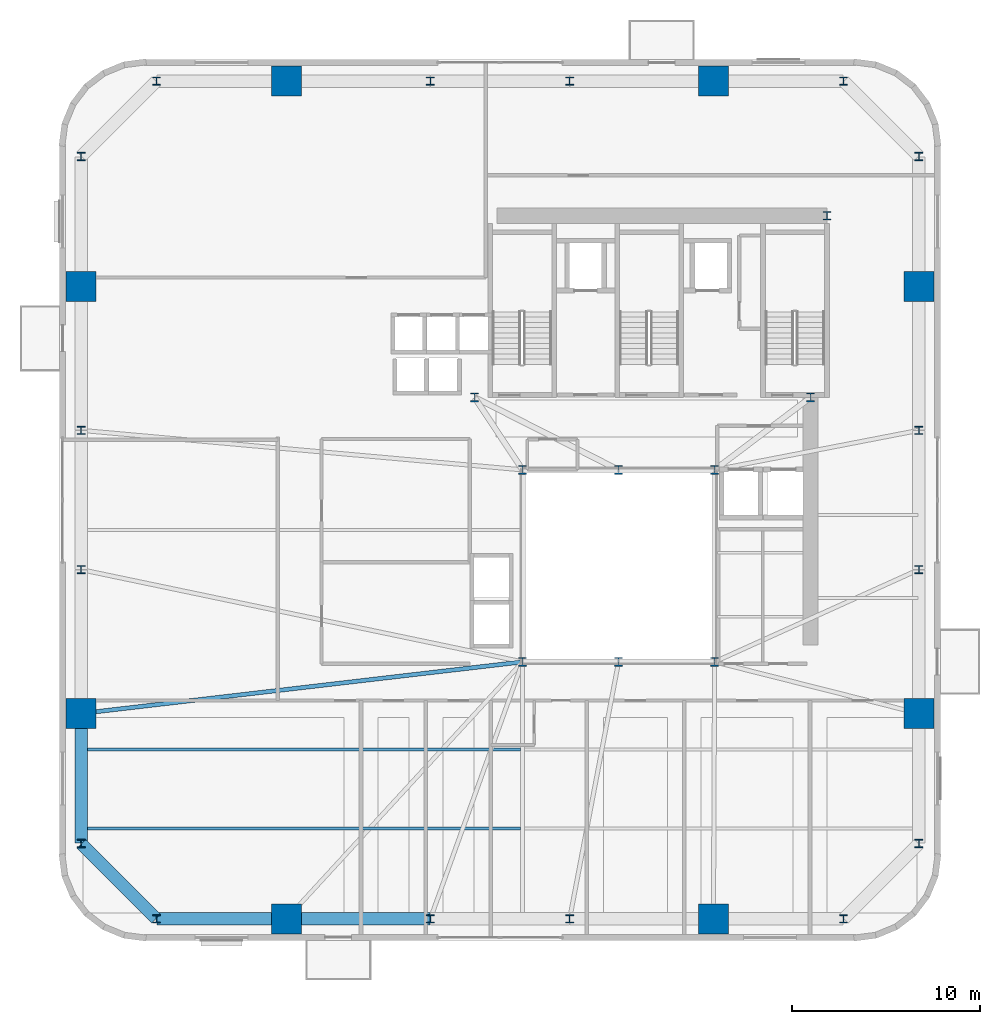
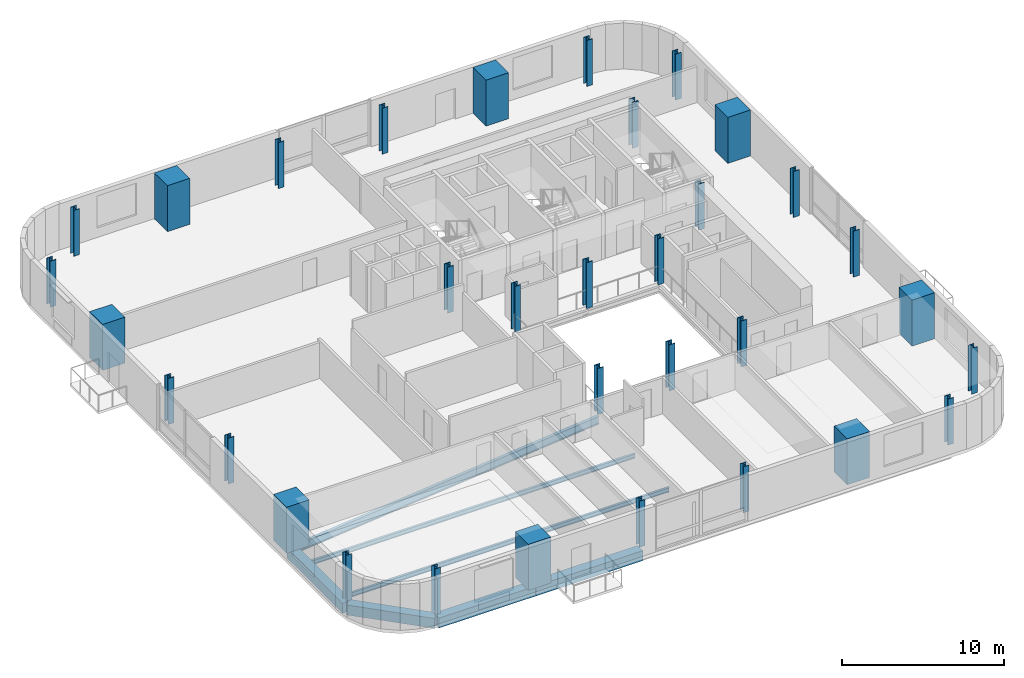
# One storey, part 1 of 14: 33 columns, 7 beams.
"""IFC4 building model written with IfcOpenShell, lengths in metres."""

from ifc_helpers import new_model, si_unit, direction, frame, origin, origin_2d, place, context, subcontext, project, spatial, rectangle, i_section, extrude, source, transform, mapped, material, material_profile, profile_set, type_object, element, save


model = new_model("IFC4")

# Units and contexts
model_context = context("Model", 3, precision=1e-05, world=origin(), true_north=direction((0.0, 1.0)))
body_context = subcontext(model_context, "Body", "Model", "MODEL_VIEW")
ifc_project = project(units=[si_unit("LENGTHUNIT", "METRE"), si_unit("AREAUNIT", "SQUARE_METRE"), si_unit("VOLUMEUNIT", "CUBIC_METRE"), si_unit("PLANEANGLEUNIT", "RADIAN"), si_unit("MASSUNIT", "GRAM", prefix="KILO")], contexts=[model_context])

# Site, building, storey
site_placement = place(None, origin())
site = spatial("IfcSite", under=ifc_project, at=site_placement, CompositionType="ELEMENT")
building_placement = place(site_placement, origin())
building = spatial("IfcBuilding", under=site, at=building_placement, Name="Vardaveli Station Tower", CompositionType="ELEMENT")
storey_placement = place(building_placement, frame((0.0, 0.0, 111.300048828125)))
storey = spatial("IfcBuildingStorey", under=building, at=storey_placement, Name="L28", CompositionType="ELEMENT", Elevation=111.300048828125)

# Columns
ifc_material_1 = material(Name="Structural steel S460M", Category="steel")
ifc_material_profile_1 = material_profile(ifc_material_1, i_section(OverallWidth=0.424072265625, OverallDepth=0.465087890625, WebThickness=0.034912109375, FlangeThickness=0.055908203125, FilletRadius=0.014892578125, at=origin_2d()), Name="HD 400x592")
ifc_profile_set_1 = profile_set([ifc_material_profile_1], Name="Structural steel S460M")
column_type_1 = type_object("IfcColumnType", Name="COL-HD592", PredefinedType="COLUMN", material=ifc_profile_set_1)
shared_shape_1 = source(origin(), body_context, "Body", "SweptSolid", [
    extrude(i_section(OverallWidth=0.424072265625, OverallDepth=0.465087890625, WebThickness=0.034912109375, FlangeThickness=0.055908203125, FilletRadius=0.014892578125, at=origin_2d()), origin(), (0.0, 0.0, 1.0), 3.4599609375),
])
for number, where, z_axis, x_axis, name in (
    (1, (31.199951171875, 16.60009765625, 0.0), (0.0, 0.0, 1.0), (1.0, 0.0, 0.0), "COL-L28-AC1"),
    (2, (36.300048828125, 16.60009765625, 0.0), (0.0, 0.0, 1.0), (1.0, 0.0, 0.0), "COL-L28-AC2"),
    (3, (41.39990234375, 16.60009765625, 0.0), (0.0, 0.0, 1.0), (1.0, 0.0, 0.0), "COL-L28-AC3"),
    (4, (41.39990234375, 26.800048828125, 0.0), (0.0, 0.0, 1.0), (1.0, 0.0, 0.0), "COL-L28-AC4"),
    (5, (36.300048828125, 26.800048828125, 0.0), (0.0, 0.0, 1.0), (1.0, 0.0, 0.0), "COL-L28-AC5"),
    (6, (31.199951171875, 26.800048828125, 0.0), (0.0, 0.0, 1.0), (1.0, 0.0, 0.0), "COL-L28-AC6"),
    (7, (28.64990234375, 30.64990234375, 0.0), (0.0, 0.0, 1.0), (1.0, 0.0, 0.0), "COL-L28-CC1"),
    (8, (46.5, 30.64990234375, 0.0), (0.0, 0.0, 1.0), (1.0, 0.0, 0.0), "COL-L28-CC2"),
    (9, (47.3701171875, 40.300048828125, 0.0), (0.0, 0.0, 1.0), (1.0, 0.0, 0.0), "COL-L28-CC3"),
):
    element("IfcColumn", number, at=place(storey_placement, frame(where, z_axis=z_axis, x_axis=x_axis)), inside=storey, type_object=column_type_1, Name=name, PredefinedType="COLUMN", context=body_context, shape_type="MappedRepresentation", body=[
        mapped(shared_shape_1, transform((0.0, 0.0, 0.0), scale=1.0)),
    ])
ifc_material_2 = material(Name="Concrete C60/75", Category="concrete")
ifc_material_profile_2 = material_profile(ifc_material_2, rectangle(XDim=1.60009765625, YDim=1.60009765625, at=origin_2d()), Name="MC 1600x1600")
ifc_profile_set_2 = profile_set([ifc_material_profile_2], Name="Concrete C60/75")
column_type_2 = type_object("IfcColumnType", Name="COL-MC-1600", PredefinedType="COLUMN", material=ifc_profile_set_2)
shared_shape_2 = source(origin(), body_context, "Body", "SweptSolid", [
    extrude(rectangle(XDim=1.60009765625, YDim=1.60009765625, at=origin_2d()), origin(), (0.0, 0.0, 1.0), 3.4599609375),
])
for number, where, z_axis, x_axis, name in (
    (10, (18.659912109375, 2.949951171875, 0.0), (0.0, 0.0, 1.0), (1.0, 0.0, 0.0), "COL-L28-MC1"),
    (11, (41.340087890625, 2.949951171875, 0.0), (0.0, 0.0, 1.0), (1.0, 0.0, 0.0), "COL-L28-MC2"),
    (12, (52.25, 13.860107421875, 0.0), (0.0, 0.0, 1.0), (1.0, 0.0, 0.0), "COL-L28-MC3"),
    (13, (52.25, 36.5400390625, 0.0), (0.0, 0.0, 1.0), (1.0, 0.0, 0.0), "COL-L28-MC4"),
    (14, (41.340087890625, 47.449951171875, 0.0), (0.0, 0.0, 1.0), (1.0, 0.0, 0.0), "COL-L28-MC5"),
    (15, (18.659912109375, 47.449951171875, 0.0), (0.0, 0.0, 1.0), (1.0, 0.0, 0.0), "COL-L28-MC6"),
    (16, (7.75, 36.5400390625, 0.0), (0.0, 0.0, 1.0), (1.0, 0.0, 0.0), "COL-L28-MC7"),
    (17, (7.75, 13.860107421875, 0.0), (0.0, 0.0, 1.0), (1.0, 0.0, 0.0), "COL-L28-MC8"),
):
    element("IfcColumn", number, at=place(storey_placement, frame(where, z_axis=z_axis, x_axis=x_axis)), inside=storey, type_object=column_type_2, Name=name, PredefinedType="COLUMN", context=body_context, shape_type="MappedRepresentation", body=[
        mapped(shared_shape_2, transform((0.0, 0.0, 0.0), scale=1.0)),
    ])
ifc_material_profile_3 = material_profile(ifc_material_1, i_section(OverallWidth=0.4140625, OverallDepth=0.431884765625, WebThickness=0.025634765625, FlangeThickness=0.0400390625, FilletRadius=0.014892578125, at=origin_2d()), Name="HD 400x421")
ifc_profile_set_3 = profile_set([ifc_material_profile_3], Name="Structural steel S460M")
column_type_3 = type_object("IfcColumnType", Name="COL-HD421", PredefinedType="COLUMN", material=ifc_profile_set_3)
shared_shape_3 = source(origin(), body_context, "Body", "SweptSolid", [
    extrude(i_section(OverallWidth=0.4140625, OverallDepth=0.431884765625, WebThickness=0.025634765625, FlangeThickness=0.0400390625, FilletRadius=0.014892578125, at=origin_2d()), origin(), (0.0, 0.0, 1.0), 3.4599609375),
])
for number, where, z_axis, x_axis, name in (
    (18, (11.75, 2.949951171875, 0.0), (0.0, 0.0, 1.0), (1.0, 0.0, 0.0), "COL-L28-PC01"),
    (19, (26.300048828125, 2.949951171875, 0.0), (0.0, 0.0, 1.0), (1.0, 0.0, 0.0), "COL-L28-PC02"),
    (20, (33.699951171875, 2.949951171875, 0.0), (0.0, 0.0, 1.0), (1.0, 0.0, 0.0), "COL-L28-PC03"),
    (21, (48.25, 2.949951171875, 0.0), (0.0, 0.0, 1.0), (1.0, 0.0, 0.0), "COL-L28-PC04"),
    (22, (52.25, 6.949951171875, 0.0), (0.0, 0.0, 1.0), (1.0, 0.0, 0.0), "COL-L28-PC05"),
    (23, (52.25, 21.5, 0.0), (0.0, 0.0, 1.0), (1.0, 0.0, 0.0), "COL-L28-PC06"),
    (24, (52.25, 28.89990234375, 0.0), (0.0, 0.0, 1.0), (1.0, 0.0, 0.0), "COL-L28-PC07"),
    (25, (52.25, 43.449951171875, 0.0), (0.0, 0.0, 1.0), (1.0, 0.0, 0.0), "COL-L28-PC08"),
    (26, (48.25, 47.449951171875, 0.0), (0.0, 0.0, 1.0), (1.0, 0.0, 0.0), "COL-L28-PC09"),
    (27, (33.699951171875, 47.449951171875, 0.0), (0.0, 0.0, 1.0), (1.0, 0.0, 0.0), "COL-L28-PC10"),
    (28, (26.300048828125, 47.449951171875, 0.0), (0.0, 0.0, 1.0), (1.0, 0.0, 0.0), "COL-L28-PC11"),
    (29, (11.75, 47.449951171875, 0.0), (0.0, 0.0, 1.0), (1.0, 0.0, 0.0), "COL-L28-PC12"),
    (30, (7.75, 43.449951171875, 0.0), (0.0, 0.0, 1.0), (1.0, 0.0, 0.0), "COL-L28-PC13"),
    (31, (7.75, 28.89990234375, 0.0), (0.0, 0.0, 1.0), (1.0, 0.0, 0.0), "COL-L28-PC14"),
    (32, (7.75, 21.5, 0.0), (0.0, 0.0, 1.0), (1.0, 0.0, 0.0), "COL-L28-PC15"),
    (33, (7.75, 6.949951171875, 0.0), (0.0, 0.0, 1.0), (1.0, 0.0, 0.0), "COL-L28-PC16"),
):
    element("IfcColumn", number, at=place(storey_placement, frame(where, z_axis=z_axis, x_axis=x_axis)), inside=storey, type_object=column_type_3, Name=name, PredefinedType="COLUMN", context=body_context, shape_type="MappedRepresentation", body=[
        mapped(shared_shape_3, transform((0.0, 0.0, 0.0), scale=1.0)),
    ])

# Beams
ifc_material_3 = material(Name="Precast concrete C45/55", Category="concrete")
ifc_material_profile_4 = material_profile(ifc_material_3, rectangle(XDim=0.64990234375, YDim=0.75, at=origin_2d()), Name="LPB 650x750")
ifc_profile_set_4 = profile_set([ifc_material_profile_4], Name="Precast concrete C45/55")
beam_type_1 = type_object("IfcBeamType", Name="BM-LPB-750", PredefinedType="BEAM", material=ifc_profile_set_4)
shared_shape_4 = source(origin(), body_context, "Body", "SweptSolid", [
    extrude(rectangle(XDim=0.64990234375, YDim=0.75, at=origin_2d()), origin(), (0.0, 0.0, 1.0), 7.60009765625),
])
beam_1_placement = place(storey_placement, frame((18.679931640625, 2.949951171875, -0.614990234375), z_axis=(1.0, 0.0, 0.0), x_axis=(0.0, 1.0, 0.0)))
element("IfcBeam", 34, at=beam_1_placement, inside=storey, type_object=beam_type_1, Name="RBM-L28-01", PredefinedType="BEAM", context=body_context, shape_type="MappedRepresentation", body=[
    mapped(shared_shape_4, transform((0.0, 0.0, 0.0), scale=1.0)),
])
shared_shape_5 = source(origin(), body_context, "Body", "SweptSolid", [
    extrude(rectangle(XDim=0.64990234375, YDim=0.75, at=origin_2d()), origin(), (0.0, 0.0, 1.0), 6.869873046875),
])
beam_2_placement = place(storey_placement, frame((11.77001953125, 2.949951171875, -0.614990234375), z_axis=(1.0, 0.0, 0.0), x_axis=(0.0, 1.0, 0.0)))
element("IfcBeam", 35, at=beam_2_placement, inside=storey, type_object=beam_type_1, Name="RBM-L28-24", PredefinedType="BEAM", context=body_context, shape_type="MappedRepresentation", body=[
    mapped(shared_shape_5, transform((0.0, 0.0, 0.0), scale=1.0)),
])
shared_shape_6 = source(origin(), body_context, "Body", "SweptSolid", [
    extrude(rectangle(XDim=0.64990234375, YDim=0.75, at=origin_2d()), origin(), (0.0, 0.0, 1.0), 5.61669921875),
])
beam_3_placement = place(storey_placement, frame((7.76416015625, 6.935791015625, -0.614990234375), z_axis=(0.707106781187, -0.707106781187, 0.0), x_axis=(0.707106781187, 0.707106781187, 0.0)))
element("IfcBeam", 36, at=beam_3_placement, inside=storey, type_object=beam_type_1, Name="RBM-L28-23", PredefinedType="BEAM", context=body_context, shape_type="MappedRepresentation", body=[
    mapped(shared_shape_6, transform((0.0, 0.0, 0.0), scale=1.0)),
])
shared_shape_7 = source(origin(), body_context, "Body", "SweptSolid", [
    extrude(rectangle(XDim=0.64990234375, YDim=0.75, at=origin_2d()), origin(), (0.0, 0.0, 1.0), 6.8701171875),
])
beam_4_placement = place(storey_placement, frame((7.75, 13.840087890625, -0.614990234375), z_axis=(0.0, -1.0, 0.0), x_axis=(1.0, 0.0, 0.0)))
element("IfcBeam", 37, at=beam_4_placement, inside=storey, type_object=beam_type_1, Name="RBM-L28-22", PredefinedType="BEAM", context=body_context, shape_type="MappedRepresentation", body=[
    mapped(shared_shape_7, transform((0.0, 0.0, 0.0), scale=1.0)),
])
ifc_material_4 = material(Name="Structural steel S355J2", Category="steel")
ifc_material_profile_5 = material_profile(ifc_material_4, i_section(OverallWidth=0.159912109375, OverallDepth=0.330078125, WebThickness=0.007568359375, FlangeThickness=0.011474609375, FilletRadius=0.01806640625, at=origin_2d()), Name="IPE 330")
ifc_profile_set_5 = profile_set([ifc_material_profile_5], Name="Structural steel S355J2")
beam_type_2 = type_object("IfcBeamType", Name="BM-IPE330", PredefinedType="JOIST", material=ifc_profile_set_5)
shared_shape_8 = source(origin(), body_context, "Body", "SweptSolid", [
    extrude(i_section(OverallWidth=0.159912109375, OverallDepth=0.330078125, WebThickness=0.007568359375, FlangeThickness=0.011474609375, FilletRadius=0.01806640625, at=origin_2d()), origin(), (0.0, 0.0, 1.0), 23.2978515625),
])
for number, where, z_axis, x_axis, name in (
    (38, (7.7900390625, 7.75, -0.405029296875), (1.0, 0.0, 0.0), (0.0, 1.0, 0.0), "SJ-L28-S01"),
    (39, (7.7900390625, 11.949951171875, -0.405029296875), (1.0, 0.0, 0.0), (0.0, 1.0, 0.0), "SJ-L28-S03"),
):
    element("IfcBeam", number, at=place(storey_placement, frame(where, z_axis=z_axis, x_axis=x_axis)), inside=storey, type_object=beam_type_2, Name=name, PredefinedType="JOIST", context=body_context, shape_type="MappedRepresentation", body=[
        mapped(shared_shape_8, transform((0.0, 0.0, 0.0), scale=1.0)),
    ])
ifc_material_profile_6 = material_profile(ifc_material_4, i_section(OverallWidth=0.219970703125, OverallDepth=0.60009765625, WebThickness=0.011962890625, FlangeThickness=0.01904296875, FilletRadius=0.02392578125, at=origin_2d()), Name="IPE 600")
ifc_profile_set_6 = profile_set([ifc_material_profile_6], Name="Structural steel S355J2")
beam_type_3 = type_object("IfcBeamType", Name="BM-IPE600", PredefinedType="BEAM", material=ifc_profile_set_6)
shared_shape_9 = source(origin(), body_context, "Body", "SweptSolid", [
    extrude(i_section(OverallWidth=0.219970703125, OverallDepth=0.60009765625, WebThickness=0.011962890625, FlangeThickness=0.01904296875, FilletRadius=0.02392578125, at=origin_2d()), origin(), (0.0, 0.0, 1.0), 23.569580078125),
])
beam_5_placement = place(storey_placement, frame((7.769775390625, 13.8623046875, -0.5400390625), z_axis=(0.993242915589, 0.11605391261, 0.0), x_axis=(-0.11605391261, 0.993242915589, 0.0)))
element("IfcBeam", 40, at=beam_5_placement, inside=storey, type_object=beam_type_3, Name="GBM-L28-10", PredefinedType="BEAM", context=body_context, shape_type="MappedRepresentation", body=[
    mapped(shared_shape_9, transform((0.0, 0.0, 0.0), scale=1.0)),
])

save(model, "model.ifc")
